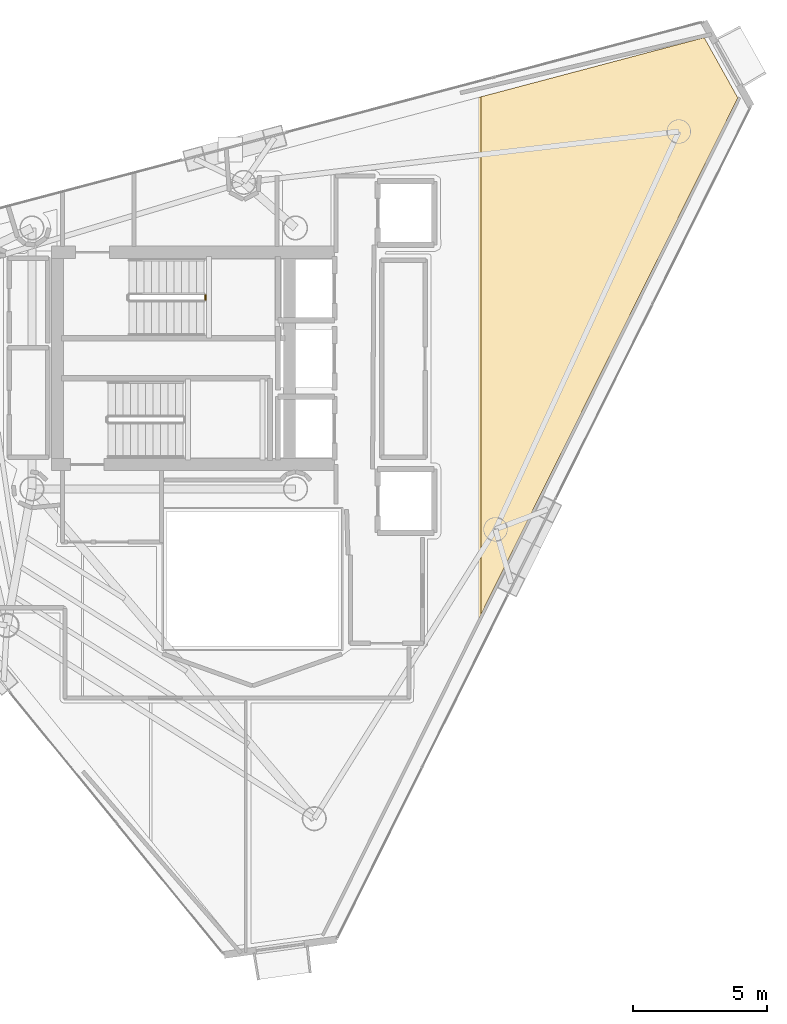
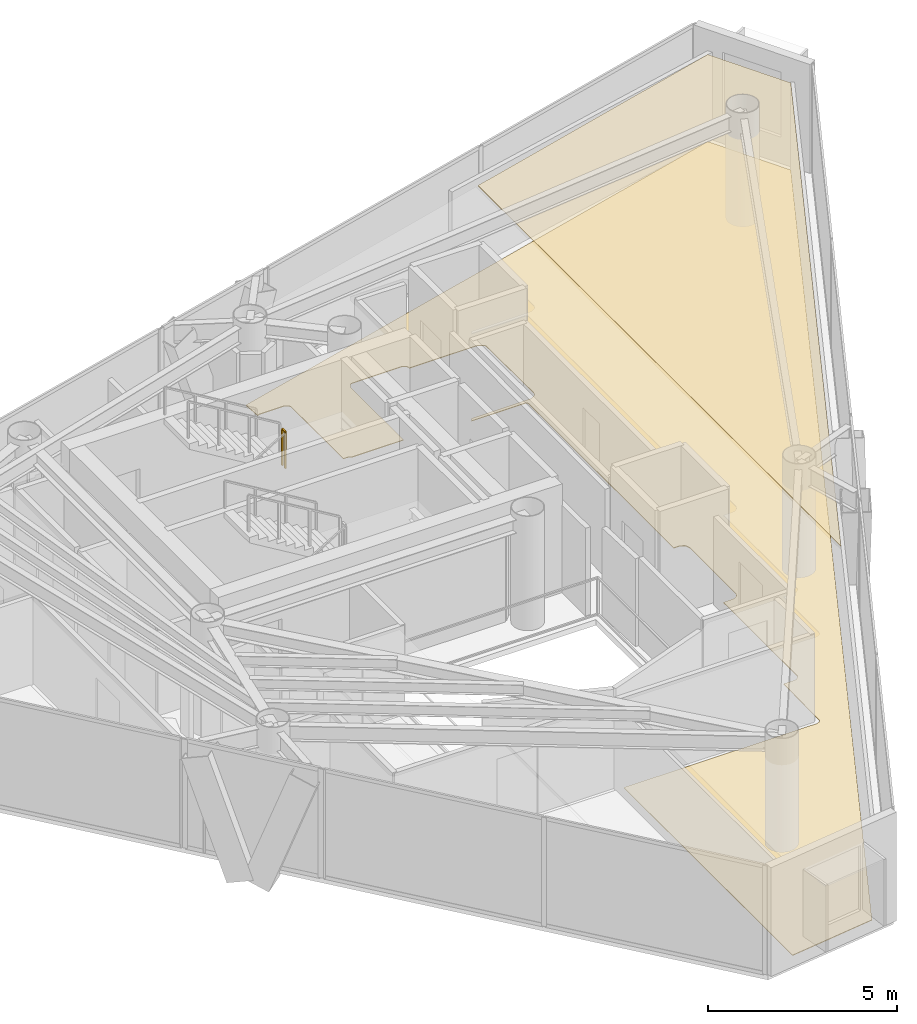
# One storey, part 23 of 23: 2 coverings, 1 railing.
"""IFC4 building model written with IfcOpenShell, lengths in metres."""

from ifc_helpers import new_model, si_unit, direction, frame, origin, origin_2d, place, context, subcontext, project, spatial, polyline, rectangle, outline, extrude, material, layer, layer_set, type_object, element, save


model = new_model("IFC4")

# Units and contexts
model_context = context("Model", 3, precision=1e-05, world=origin(), true_north=direction((0.0, 1.0)))
body_context = subcontext(model_context, "Body", "Model", "MODEL_VIEW")
ifc_project = project(units=[si_unit("LENGTHUNIT", "METRE"), si_unit("AREAUNIT", "SQUARE_METRE"), si_unit("VOLUMEUNIT", "CUBIC_METRE"), si_unit("PLANEANGLEUNIT", "RADIAN"), si_unit("MASSUNIT", "GRAM", prefix="KILO")], contexts=[model_context])

# Site, building, storey
site_placement = place(None, origin())
site = spatial("IfcSite", under=ifc_project, at=site_placement, CompositionType="ELEMENT")
building_placement = place(site_placement, origin())
building = spatial("IfcBuilding", under=site, at=building_placement, Name="Qianvela Tower", CompositionType="ELEMENT")
storey_placement = place(building_placement, frame((0.0, 0.0, 313.89990234375)))
storey = spatial("IfcBuildingStorey", under=building, at=storey_placement, Name="L81", CompositionType="ELEMENT", Elevation=313.89990234375)

# Coverings
ifc_material_1 = material(Name="Perforated Mineral Acoustic Ceiling Tile")
ifc_layer_1 = layer(ifc_material_1, 0.02490234375)
ifc_layer_set_1 = layer_set([ifc_layer_1], Name="Perforated Mineral Acoustic Ceiling Tile")
covering_type_1 = type_object("IfcCoveringType", Name="COV-CEIL-ACOUSTIC-25", PredefinedType="CEILING", material=ifc_layer_set_1)
covering_1_placement = place(storey_placement, frame((0.0, 0.0, 2.815185546875)))
element("IfcCovering", 1, at=covering_1_placement, inside=storey, type_object=covering_type_1, Name="L81 Acoustic Ceiling Bay 2 Graduate Seminar Classroom L81-03", PredefinedType="CEILING", context=body_context, shape_type="SweptSolid", body=[
    extrude(outline(polyline([(53.59228515625, 40.625), (54.84375, 38.3837890625), (45.294921875, 19.1875), (45.294921875, 38.425537109375), (53.59228515625, 40.625)])), origin(), (0.0, 0.0, 1.0), 0.02490234375),
])
ifc_material_2 = material(Name="Engineered Acoustic Oak Timber Flooring", Category="wood")
ifc_layer_2 = layer(ifc_material_2, 0.02001953125)
ifc_layer_set_2 = layer_set([ifc_layer_2], Name="Engineered Acoustic Oak Timber Flooring")
covering_type_2 = type_object("IfcCoveringType", Name="COV-FLOOR-OAK-20", PredefinedType="FLOORING", material=ifc_layer_set_2)
covering_2_placement = place(storey_placement, origin())
element("IfcCovering", 2, at=covering_2_placement, inside=storey, type_object=covering_type_2, Name="L81 Finish Flooring Graduate Seminar Classroom L81-03", PredefinedType="FLOORING", context=body_context, shape_type="SweptSolid", body=[
    extrude(outline(polyline([(36.9384765625, 35.62158203125), (36.9072265625, 36.201904296875), (53.59228515625, 40.625), (54.84375, 38.3837890625), (39.38427734375, 7.304931640625), (36.7451171875, 6.94287109375), (36.7451171875, 15.889892578125), (42.64990234375, 15.889892578125), (42.65869140625, 15.890380859375), (42.66748046875, 15.891845703125), (42.676025390625, 15.894287109375), (42.68408203125, 15.897705078125), (42.74609375, 15.927001953125), (42.753173828125, 15.930908203125), (42.760009765625, 15.935302734375), (42.76611328125, 15.940673828125), (42.77197265625, 15.9462890625), (42.777099609375, 15.952880859375), (42.781494140625, 15.959716796875), (42.784912109375, 15.967041015625), (42.787841796875, 15.974609375), (42.7900390625, 15.982421875), (42.79150390625, 15.990478515625), (42.791748046875, 15.99853515625), (42.806640625, 17.920166015625), (43.157958984375, 17.92041015625), (43.165771484375, 17.9208984375), (43.173583984375, 17.921875), (43.18115234375, 17.923828125), (43.1884765625, 17.926513671875), (43.195556640625, 17.9296875), (43.202392578125, 17.933837890625), (43.20849609375, 17.938720703125), (43.21435546875, 17.94384765625), (43.2861328125, 18.015625), (43.29150390625, 18.021484375), (43.296142578125, 18.027587890625), (43.30029296875, 18.034423828125), (43.303466796875, 18.04150390625), (43.30615234375, 18.048828125), (43.30810546875, 18.056640625), (43.30908203125, 18.064208984375), (43.3095703125, 18.072265625), (43.309326171875, 21.981201171875), (43.621826171875, 21.986083984375), (43.62939453125, 21.986572265625), (43.63720703125, 21.98779296875), (43.64453125, 21.98974609375), (43.651611328125, 21.9921875), (43.658447265625, 21.99560546875), (43.6650390625, 21.99951171875), (43.732666015625, 22.044677734375), (43.739013671875, 22.04931640625), (43.744873046875, 22.0546875), (43.75, 22.060302734375), (43.754638671875, 22.066650390625), (43.7587890625, 22.073486328125), (43.76220703125, 22.08056640625), (43.793212890625, 22.15576171875), (43.7958984375, 22.1630859375), (43.7978515625, 22.170654296875), (43.798828125, 22.178466796875), (43.79931640625, 22.186279296875), (43.800048828125, 24.60009765625), (43.7998046875, 24.606689453125), (43.798828125, 24.61376953125), (43.79736328125, 24.620361328125), (43.79541015625, 24.626953125), (43.763427734375, 24.7158203125), (43.76025390625, 24.723388671875), (43.75634765625, 24.73095703125), (43.75146484375, 24.73779296875), (43.74609375, 24.744140625), (43.73974609375, 24.75), (43.733154296875, 24.7548828125), (43.725830078125, 24.759521484375), (43.63134765625, 24.809814453125), (43.624267578125, 24.813232421875), (43.616943359375, 24.81591796875), (43.609375, 24.81787109375), (43.6015625, 24.81884765625), (43.59375, 24.8193359375), (43.423828125, 24.8193359375), (43.423828125, 24.8193359375), (43.426513671875, 24.826904296875), (43.428466796875, 24.83447265625), (43.4296875, 24.84228515625), (43.429931640625, 24.85009765625), (43.429931640625, 32.5), (43.4296875, 32.5078125), (43.428466796875, 32.515625), (43.426513671875, 32.523193359375), (43.423828125, 32.530517578125), (43.420654296875, 32.53759765625), (43.41650390625, 32.54443359375), (43.411865234375, 32.55078125), (43.406494140625, 32.556640625), (43.40087890625, 32.561767578125), (43.394287109375, 32.56640625), (43.3876953125, 32.570556640625), (43.380615234375, 32.573974609375), (43.373291015625, 32.57666015625), (43.365478515625, 32.57861328125), (43.35791015625, 32.57958984375), (43.35009765625, 32.580078125), (41.72265625, 32.580078125), (41.774169921875, 32.679931640625), (43.580078125, 32.679931640625), (43.587890625, 32.680419921875), (43.595703125, 32.681396484375), (43.603271484375, 32.683349609375), (43.610595703125, 32.68603515625), (43.61767578125, 32.689453125), (43.734130859375, 32.751708984375), (43.740966796875, 32.755615234375), (43.747314453125, 32.760498046875), (43.7529296875, 32.765625), (43.75830078125, 32.771484375), (43.762939453125, 32.77783203125), (43.76708984375, 32.784423828125), (43.770263671875, 32.79150390625), (43.77294921875, 32.799072265625), (43.796630859375, 32.876708984375), (43.798583984375, 32.884521484375), (43.799560546875, 32.892578125), (43.800048828125, 32.900390625), (43.783447265625, 35.366455078125), (43.782958984375, 35.374755859375), (43.78173828125, 35.3828125), (43.779541015625, 35.390625), (43.776611328125, 35.398193359375), (43.77294921875, 35.40576171875), (43.7685546875, 35.41259765625), (43.763427734375, 35.4189453125), (43.7578125, 35.4248046875), (43.75146484375, 35.429931640625), (43.74462890625, 35.4345703125), (43.62109375, 35.508544921875), (43.61474609375, 35.511962890625), (43.608154296875, 35.514892578125), (43.601318359375, 35.51708984375), (43.59423828125, 35.518798828125), (43.587158203125, 35.519775390625), (43.580078125, 35.52001953125), (41.515625, 35.52001953125), (41.513916015625, 35.554931640625), (41.512939453125, 35.562744140625), (41.511474609375, 35.5703125), (41.509033203125, 35.577880859375), (41.506103515625, 35.585205078125), (41.50244140625, 35.591796875), (41.498046875, 35.598388671875), (41.4931640625, 35.6044921875), (41.487548828125, 35.60986328125), (41.481689453125, 35.614990234375), (41.41552734375, 35.663818359375), (41.409423828125, 35.66796875), (41.40283203125, 35.67138671875), (41.396240234375, 35.67431640625), (41.38916015625, 35.6767578125), (41.382080078125, 35.67822265625), (41.374755859375, 35.67919921875), (41.367431640625, 35.6796875), (39.841796875, 35.670654296875), (39.83349609375, 35.670166015625), (39.825439453125, 35.668701171875), (39.817626953125, 35.666748046875), (39.81005859375, 35.663818359375), (39.802490234375, 35.659912109375), (39.795654296875, 35.655517578125), (39.789306640625, 35.650390625), (39.783447265625, 35.644775390625), (39.7783203125, 35.638427734375), (39.773681640625, 35.631591796875), (39.7314453125, 35.56103515625), (39.727294921875, 35.553466796875), (39.72412109375, 35.54541015625), (39.721923828125, 35.537109375), (39.720458984375, 35.528564453125), (39.719970703125, 35.52001953125), (39.719970703125, 32.719970703125), (38.129150390625, 32.719970703125), (38.068115234375, 32.756103515625), (38.060791015625, 32.760009765625), (38.052978515625, 32.76318359375), (38.044921875, 32.765380859375), (38.03662109375, 32.766845703125), (38.0283203125, 32.767333984375), (37.9072265625, 32.768798828125), (37.906494140625, 35.523193359375), (37.90625, 35.531005859375), (37.905029296875, 35.538818359375), (37.903076171875, 35.54638671875), (37.900390625, 35.5537109375), (37.897216796875, 35.560791015625), (37.89306640625, 35.567626953125), (37.888427734375, 35.573974609375), (37.883056640625, 35.579833984375), (37.877197265625, 35.585205078125), (37.80859375, 35.6416015625), (37.80224609375, 35.64599609375), (37.795654296875, 35.650146484375), (37.78857421875, 35.653564453125), (37.781005859375, 35.65625), (37.7734375, 35.658203125), (37.765625, 35.6591796875), (37.7578125, 35.65966796875), (37.01904296875, 35.65966796875), (37.010986328125, 35.6591796875), (37.003173828125, 35.657958984375), (36.995361328125, 35.656005859375), (36.98779296875, 35.6533203125), (36.980712890625, 35.64990234375), (36.973876953125, 35.645751953125), (36.9384765625, 35.62158203125)])), origin(), (0.0, 0.0, 1.0), 0.02001953125),
])

# Railing
ifc_material_3 = material(Name="Painted Tubular Steel Q355B", Category="steel")
railing_type = type_object("IfcRailingType", Name="RL-STAIR-GUARD-1200", PredefinedType="GUARDRAIL", material=ifc_material_3)
railing_placement = place(storey_placement, frame((35.050048828125, 30.889892578125, 1.85009765625)))
element("IfcRailing", 3, at=railing_placement, inside=storey, type_object=railing_type, Name="L81 ST-1 stair guard 2", PredefinedType="GUARDRAIL", context=body_context, shape_type="SweptSolid", body=[
    extrude(rectangle(XDim=0.050048828125, YDim=0.0400390625, at=origin_2d()), frame((0.0, 0.0, 1.179931640625), z_axis=(0.0, 1.0, 0.0), x_axis=(-1.0, 0.0, 0.0)), (0.0, 0.0, 1.0), 0.16015625),
    extrude(rectangle(XDim=0.050048828125, YDim=0.050048828125, at=origin_2d()), origin(), (0.0, 0.0, 1.0), 1.159912109375),
    extrude(rectangle(XDim=0.050048828125, YDim=0.050048828125, at=origin_2d()), frame((0.0, 0.16015625, 0.0)), (0.0, 0.0, 1.0), 1.159912109375),
])

save(model, "model.ifc")
